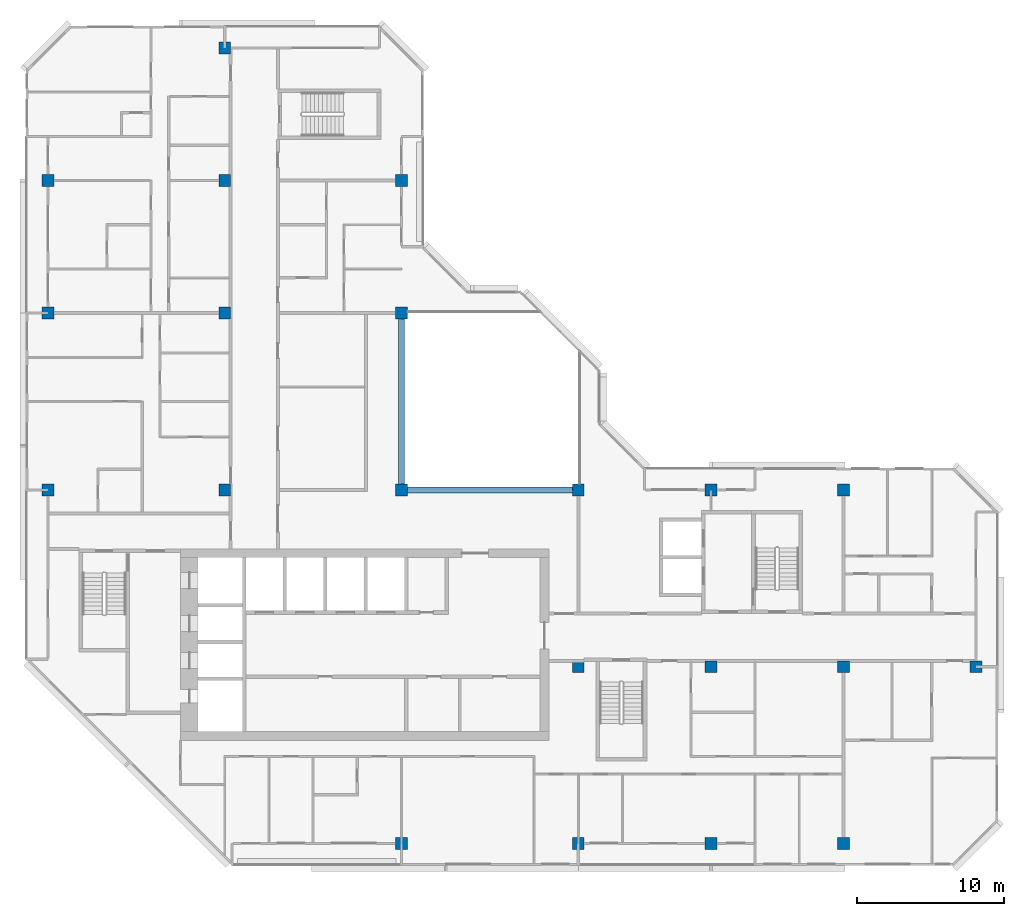
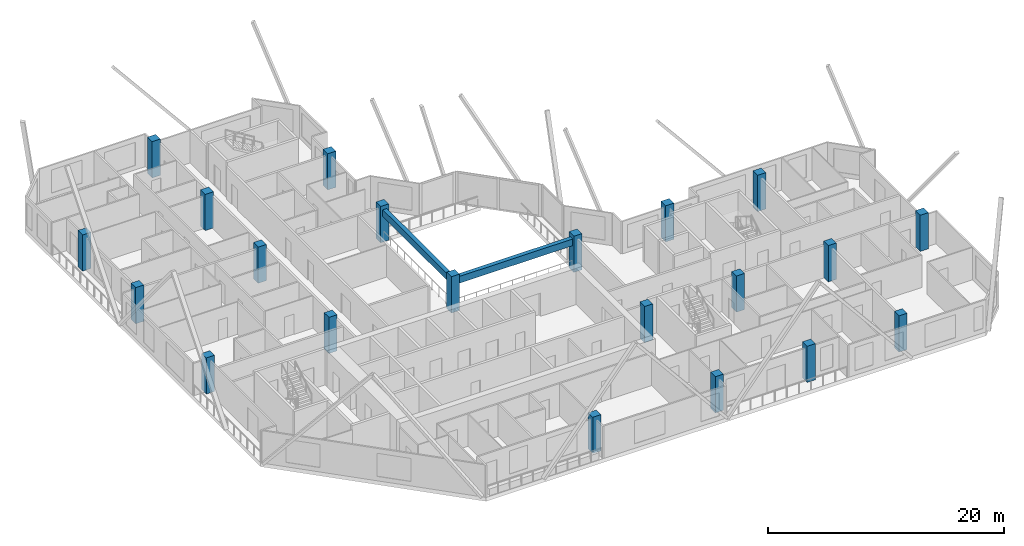
# One storey, part 1 of 13: 21 columns, 2 beams.
"""IFC4 building model written with IfcOpenShell, lengths in metres."""

from ifc_helpers import new_model, si_unit, direction, frame, origin, origin_2d, place, context, subcontext, project, spatial, rectangle, extrude, material, material_profile, profile_set, type_object, element, save


model = new_model("IFC4")

# Units and contexts
model_context = context("Model", 3, precision=1e-05, world=origin(), true_north=direction((0.0, 1.0)))
body_context = subcontext(model_context, "Body", "Model", "MODEL_VIEW")
ifc_project = project(units=[si_unit("LENGTHUNIT", "METRE"), si_unit("AREAUNIT", "SQUARE_METRE"), si_unit("VOLUMEUNIT", "CUBIC_METRE"), si_unit("PLANEANGLEUNIT", "RADIAN"), si_unit("MASSUNIT", "GRAM", prefix="KILO")], contexts=[model_context])

# Site, building, storey
site_placement = place(None, origin())
site = spatial("IfcSite", under=ifc_project, at=site_placement, CompositionType="ELEMENT")
building_placement = place(site_placement, origin())
building = spatial("IfcBuilding", under=site, at=building_placement, Name="Chenar Terraces", CompositionType="ELEMENT")
storey_placement = place(building_placement, frame((0.0, 0.0, 310.89990234375)))
storey = spatial("IfcBuildingStorey", under=building, at=storey_placement, Name="L73", CompositionType="ELEMENT", Elevation=310.89990234375)

# Columns
ifc_material_1 = material(Name="Concrete C50/60", Category="concrete")
ifc_material_profile_1 = material_profile(ifc_material_1, rectangle(XDim=0.800048828125, YDim=0.800048828125, at=origin_2d()), Name="C 800 x 800")
ifc_profile_set_1 = profile_set([ifc_material_profile_1], Name="Concrete C50/60")
column_type = type_object("IfcColumnType", Name="Column C 800 x 800 Concrete C50/60", PredefinedType="COLUMN", material=ifc_profile_set_1)
column_1_placement = place(storey_placement, frame((0.0, 24.0, 0.0), z_axis=(0.0, 0.0, 1.0), x_axis=(1.0, 0.0, 0.0)))
element("IfcColumn", 1, at=column_1_placement, inside=storey, type_object=column_type, Name="Column 5/G L73", PredefinedType="COLUMN", context=body_context, shape_type="SweptSolid", body=[
    extrude(rectangle(XDim=0.800048828125, YDim=0.800048828125, at=origin_2d()), origin(), (0.0, 0.0, 1.0), 3.75),
])
column_2_placement = place(storey_placement, frame((0.0, 36.0, 0.0), z_axis=(0.0, 0.0, 1.0), x_axis=(1.0, 0.0, 0.0)))
element("IfcColumn", 2, at=column_2_placement, inside=storey, type_object=column_type, Name="Column 5/H L73", PredefinedType="COLUMN", context=body_context, shape_type="SweptSolid", body=[
    extrude(rectangle(XDim=0.800048828125, YDim=0.800048828125, at=origin_2d()), origin(), (0.0, 0.0, 1.0), 3.75),
])
for number, where, z_axis, x_axis, name in (
    (3, (0.0, 45.0, 0.0), (0.0, 0.0, 1.0), (1.0, 0.0, 0.0), "Column 5/J L73"),
    (4, (12.0, 24.0, 0.0), (0.0, 0.0, 1.0), (1.0, 0.0, 0.0), "Column 6/G L73"),
    (5, (12.0, 36.0, 0.0), (0.0, 0.0, 1.0), (1.0, 0.0, 0.0), "Column 6/H L73"),
    (6, (12.0, 45.0, 0.0), (0.0, 0.0, 1.0), (1.0, 0.0, 0.0), "Column 6/J L73"),
    (7, (12.0, 54.0, 0.0), (0.0, 0.0, 1.0), (1.0, 0.0, 0.0), "Column 6/K L73"),
    (8, (24.0, 0.0, 0.0), (0.0, 0.0, 1.0), (1.0, 0.0, 0.0), "Column 7/E L73"),
    (9, (24.0, 24.0, 0.0), (0.0, 0.0, 1.0), (1.0, 0.0, 0.0), "Column 7/G L73"),
    (10, (24.0, 36.0, 0.0), (0.0, 0.0, 1.0), (1.0, 0.0, 0.0), "Column 7/H L73"),
    (11, (24.0, 45.0, 0.0), (0.0, 0.0, 1.0), (1.0, 0.0, 0.0), "Column 7/J L73"),
    (12, (36.0, 0.0, 0.0), (0.0, 0.0, 1.0), (1.0, 0.0, 0.0), "Column 8/E L73"),
    (13, (36.0, 12.0, 0.0), (0.0, 0.0, 1.0), (1.0, 0.0, 0.0), "Column 8/F L73"),
    (14, (36.0, 24.0, 0.0), (0.0, 0.0, 1.0), (1.0, 0.0, 0.0), "Column 8/G L73"),
    (15, (45.0, 0.0, 0.0), (0.0, 0.0, 1.0), (1.0, 0.0, 0.0), "Column 9/E L73"),
    (16, (45.0, 12.0, 0.0), (0.0, 0.0, 1.0), (1.0, 0.0, 0.0), "Column 9/F L73"),
    (17, (45.0, 24.0, 0.0), (0.0, 0.0, 1.0), (1.0, 0.0, 0.0), "Column 9/G L73"),
    (18, (54.0, 0.0, 0.0), (0.0, 0.0, 1.0), (1.0, 0.0, 0.0), "Column 10/E L73"),
    (19, (54.0, 12.0, 0.0), (0.0, 0.0, 1.0), (1.0, 0.0, 0.0), "Column 10/F L73"),
    (20, (54.0, 24.0, 0.0), (0.0, 0.0, 1.0), (1.0, 0.0, 0.0), "Column 10/G L73"),
    (21, (63.0, 12.0, 0.0), (0.0, 0.0, 1.0), (1.0, 0.0, 0.0), "Column 11/F L73"),
):
    element("IfcColumn", number, at=place(storey_placement, frame(where, z_axis=z_axis, x_axis=x_axis)), inside=storey, type_object=column_type, Name=name, PredefinedType="COLUMN", context=body_context, shape_type="SweptSolid", body=[
        extrude(rectangle(XDim=0.800048828125, YDim=0.800048828125, at=origin_2d()), origin(), (0.0, 0.0, 1.0), 3.75),
    ])

# Beams
ifc_material_2 = material(Name="Concrete C40/50", Category="concrete")
ifc_material_profile_2 = material_profile(ifc_material_2, rectangle(XDim=0.39990234375, YDim=0.699951171875, at=origin_2d()), Name="RC 400 x 700")
ifc_profile_set_2 = profile_set([ifc_material_profile_2], Name="Concrete C40/50")
beam_type = type_object("IfcBeamType", Name="Atrium edge beam 400 x 700 Concrete C40/50", PredefinedType="BEAM", material=ifc_profile_set_2)
for number, where, z_axis, x_axis, name in (
    (22, (24.39990234375, 24.0, 3.0), (1.0, 0.0, 0.0), (0.0, 1.0, 0.0), "Atrium edge beam L74 1"),
    (23, (24.0, 35.60009765625, 3.0), (0.0, -1.0, 0.0), (1.0, 0.0, 0.0), "Atrium edge beam L74 4"),
):
    element("IfcBeam", number, at=place(storey_placement, frame(where, z_axis=z_axis, x_axis=x_axis)), inside=storey, type_object=beam_type, Name=name, PredefinedType="BEAM", context=body_context, shape_type="SweptSolid", body=[
        extrude(rectangle(XDim=0.39990234375, YDim=0.699951171875, at=origin_2d()), origin(), (0.0, 0.0, 1.0), 11.2001953125),
    ])

save(model, "model.ifc")
